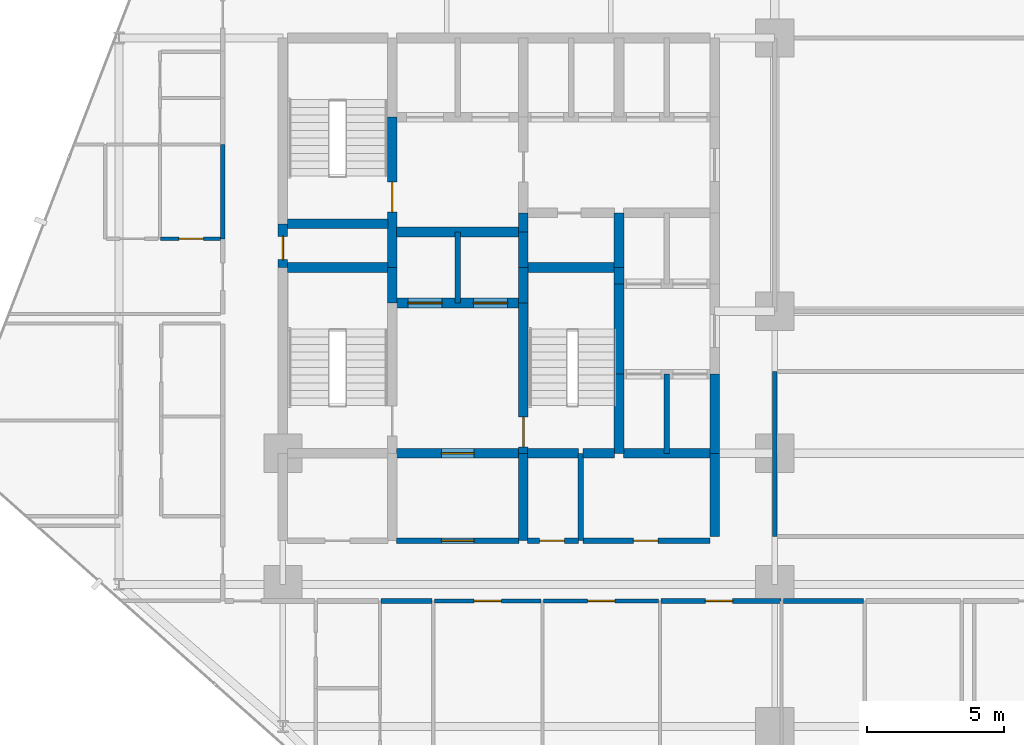
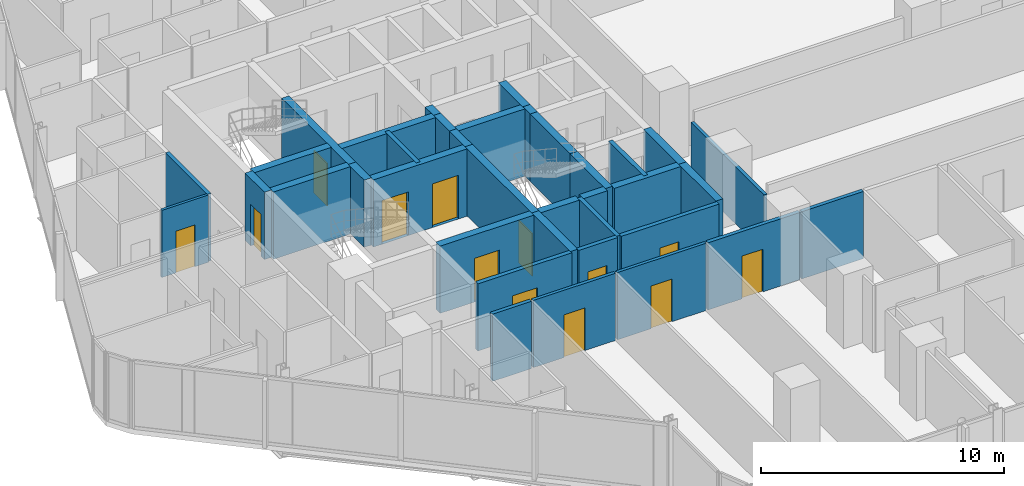
# One storey, part 27 of 34: 37 walls, 13 doors, 13 openings.
"""IFC4 building model written with IfcOpenShell, lengths in metres."""

from ifc_helpers import new_model, si_unit, direction, frame, frame_2d, origin, place, context, subcontext, project, spatial, rectangle, extrude, material, layer, layer_set, type_object, element, fill, save


model = new_model("IFC4")

# Units and contexts
model_context = context("Model", 3, precision=1e-05, world=origin(), true_north=direction((0.0, 1.0)))
body_context = subcontext(model_context, "Body", "Model", "MODEL_VIEW")
ifc_project = project(units=[si_unit("LENGTHUNIT", "METRE"), si_unit("AREAUNIT", "SQUARE_METRE"), si_unit("VOLUMEUNIT", "CUBIC_METRE"), si_unit("PLANEANGLEUNIT", "RADIAN"), si_unit("MASSUNIT", "GRAM", prefix="KILO")], contexts=[model_context])

# Site, building, storey
site_placement = place(None, origin())
site = spatial("IfcSite", under=ifc_project, at=site_placement, CompositionType="ELEMENT")
building_placement = place(site_placement, origin())
building = spatial("IfcBuilding", under=site, at=building_placement, Name="Keshet Zoharim Tower", CompositionType="ELEMENT")
storey_placement = place(building_placement, frame((0.0, 0.0, 46.199951171875)))
storey = spatial("IfcBuildingStorey", under=building, at=storey_placement, Name="L10", CompositionType="ELEMENT", Elevation=46.199951171875)

# Wall
ifc_material_1 = material(Name="Gypsum Plasterboard", Category="gypsum")
ifc_layer_1 = layer(ifc_material_1, 0.14990234375)
ifc_layer_set_1 = layer_set([ifc_layer_1], Name="Gypsum Plasterboard")
wall_type_1 = type_object("IfcWallType", Name="WL-CLIN-150", PredefinedType="STANDARD", material=ifc_layer_set_1)
wall_1_placement = place(storey_placement, frame((33.0, 19.659912109375, 0.0), z_axis=(0.0, 0.0, 1.0), x_axis=(0.0, 1.0, 0.0)))
element("IfcWall", 1, at=wall_1_placement, inside=storey, type_object=wall_type_1, Name="L10 Interior Wall 073", PredefinedType="STANDARD", context=body_context, shape_type="SweptSolid", body=[
    extrude(rectangle(XDim=6.030029296875, YDim=0.14990234375, at=frame_2d((3.01513671875, 0.0))), origin(), (0.0, 0.0, 1.0), 2.885009765625),
])

# Wall, opening, door
wall_2_placement = place(storey_placement, frame((20.544921875, 17.300048828125, 0.0), z_axis=(0.0, 0.0, 1.0), x_axis=(1.0, 0.0, 0.0)))
wall_2 = element("IfcWall", 2, at=wall_2_placement, inside=storey, type_object=wall_type_1, Name="L10 Interior Wall 140", PredefinedType="STANDARD", context=body_context, shape_type="SweptSolid", body=[
    extrude(rectangle(XDim=3.91015625, YDim=0.14990234375, at=frame_2d((1.955078125, 0.0))), origin(), (0.0, 0.0, 1.0), 3.385009765625),
])
opening_1_placement = place(wall_2_placement, frame((1.455078125, 0.0, 0.0)))
opening_1 = element("IfcOpeningElement", 3, at=opening_1_placement, cuts=wall_2, Name="Opening D-F310", PredefinedType="OPENING", context=body_context, shape_type="SweptSolid", body=[
    extrude(rectangle(XDim=1.0, YDim=2.14990234375, at=frame_2d((0.5, 1.074951171875))), frame((0.0, 0.0849609375, 0.0), z_axis=(0.0, -1.0, 0.0), x_axis=(1.0, 0.0, 0.0)), (0.0, 0.0, 1.0), 0.169921875),
])
ifc_material_2 = material(Name="Hardwood Timber", Category="wood")
door_type_1 = type_object("IfcDoorType", Name="DR-FD30-100", OperationType="NOTDEFINED", PredefinedType="DOOR", material=ifc_material_2)
door_1_placement = place(opening_1_placement, origin())
door_1 = element("IfcDoor", 4, at=door_1_placement, inside=storey, type_object=door_type_1, Name="L10 Residents Telework Office Door", OperationType="SINGLE_SWING_LEFT", OverallHeight=2.14990234375, OverallWidth=1.0, PredefinedType="DOOR", context=body_context, shape_type="SweptSolid", body=[
    extrude(rectangle(XDim=1.0, YDim=2.14990234375, at=frame_2d((0.5, 1.074951171875))), frame((0.0, 0.02490234375, 0.0), z_axis=(0.0, -1.0, 0.0), x_axis=(1.0, 0.0, 0.0)), (0.0, 0.0, 1.0), 0.050048828125),
])
fill(opening_1, door_1)

wall_3_placement = place(storey_placement, frame((24.544921875, 17.300048828125, 0.0), z_axis=(0.0, 0.0, 1.0), x_axis=(1.0, 0.0, 0.0)))
wall_3 = element("IfcWall", 5, at=wall_3_placement, inside=storey, type_object=wall_type_1, Name="L10 Interior Wall 141", PredefinedType="STANDARD", context=body_context, shape_type="SweptSolid", body=[
    extrude(rectangle(XDim=4.2099609375, YDim=0.14990234375, at=frame_2d((2.10498046875, 0.0))), origin(), (0.0, 0.0, 1.0), 3.385009765625),
])
opening_2_placement = place(wall_3_placement, frame((1.60498046875, 0.0, 0.0)))
opening_2 = element("IfcOpeningElement", 6, at=opening_2_placement, cuts=wall_3, Name="Opening D-F310", PredefinedType="OPENING", context=body_context, shape_type="SweptSolid", body=[
    extrude(rectangle(XDim=1.0, YDim=2.14990234375, at=frame_2d((0.5, 1.074951171875))), frame((0.0, 0.0849609375, 0.0), z_axis=(0.0, -1.0, 0.0), x_axis=(1.0, 0.0, 0.0)), (0.0, 0.0, 1.0), 0.169921875),
])
door_2_placement = place(opening_2_placement, origin())
door_2 = element("IfcDoor", 7, at=door_2_placement, inside=storey, type_object=door_type_1, Name="L10 Residents Meeting Room Door", OperationType="SINGLE_SWING_RIGHT", OverallHeight=2.14990234375, OverallWidth=1.0, PredefinedType="DOOR", context=body_context, shape_type="SweptSolid", body=[
    extrude(rectangle(XDim=1.0, YDim=2.14990234375, at=frame_2d((0.5, 1.074951171875))), frame((0.0, 0.02490234375, 0.0), z_axis=(0.0, -1.0, 0.0), x_axis=(1.0, 0.0, 0.0)), (0.0, 0.0, 1.0), 0.050048828125),
])
fill(opening_2, door_2)

ifc_material_3 = material(Name="Concrete C60/75", Category="concrete")
ifc_layer_2 = layer(ifc_material_3, 0.35009765625)
ifc_layer_set_2 = layer_set([ifc_layer_2], Name="Concrete C60/75")
wall_type_2 = type_object("IfcWallType", Name="WL-CORE-350", PredefinedType="SHEAR", material=ifc_layer_set_2)
wall_4_placement = place(storey_placement, frame((15.0, 29.5, 0.0), z_axis=(0.0, 0.0, 1.0), x_axis=(0.0, 1.0, 0.0)))
wall_4 = element("IfcWall", 8, at=wall_4_placement, inside=storey, type_object=wall_type_2, Name="L10 Core Shear Wall 021", PredefinedType="SHEAR", context=body_context, shape_type="SweptSolid", body=[
    extrude(rectangle(XDim=1.60009765625, YDim=0.35009765625, at=frame_2d((0.800048828125, 0.0))), origin(), (0.0, 0.0, 1.0), 3.385009765625),
])
opening_3_placement = place(wall_4_placement, frame((0.287109375, 0.0, 0.0)))
opening_3 = element("IfcOpeningElement", 9, at=opening_3_placement, cuts=wall_4, Name="Opening D-RS85", PredefinedType="OPENING", context=body_context, shape_type="SweptSolid", body=[
    extrude(rectangle(XDim=0.85009765625, YDim=2.10009765625, at=frame_2d((0.425048828125, 1.050048828125))), frame((0.0, 0.18505859375, 0.0), z_axis=(0.0, -1.0, 0.0), x_axis=(1.0, 0.0, 0.0)), (0.0, 0.0, 1.0), 0.3701171875),
])
door_type_2 = type_object("IfcDoorType", Name="DR-RIS-085", OperationType="NOTDEFINED", PredefinedType="DOOR", material=ifc_material_2)
door_3_placement = place(opening_3_placement, origin())
door_3 = element("IfcDoor", 10, at=door_3_placement, inside=storey, type_object=door_type_2, Name="L10 Electrical Riser Access Cupboard Door", OperationType="SINGLE_SWING_LEFT", OverallHeight=2.10009765625, OverallWidth=0.85009765625, PredefinedType="DOOR", context=body_context, shape_type="SweptSolid", body=[
    extrude(rectangle(XDim=0.85009765625, YDim=2.10009765625, at=frame_2d((0.425048828125, 1.050048828125))), frame((0.0, 0.02490234375, 0.0), z_axis=(0.0, -1.0, 0.0), x_axis=(1.0, 0.0, 0.0)), (0.0, 0.0, 1.0), 0.050048828125),
])
fill(opening_3, door_3)

# Wall
wall_5_placement = place(storey_placement, frame((19.0, 28.199951171875, 0.0), z_axis=(0.0, 0.0, 1.0), x_axis=(0.0, 1.0, 0.0)))
element("IfcWall", 11, at=wall_5_placement, inside=storey, type_object=wall_type_2, Name="L10 Core Shear Wall 031", PredefinedType="SHEAR", context=body_context, shape_type="SweptSolid", body=[
    extrude(rectangle(XDim=1.300048828125, YDim=0.35009765625, at=frame_2d((0.64990234375, 0.0))), origin(), (0.0, 0.0, 1.0), 3.385009765625),
])

# Wall, opening, door
wall_6_placement = place(storey_placement, frame((19.0, 29.5, 0.0), z_axis=(0.0, 0.0, 1.0), x_axis=(0.0, 1.0, 0.0)))
wall_6 = element("IfcWall", 12, at=wall_6_placement, inside=storey, type_object=wall_type_2, Name="L10 Core Shear Wall 032", PredefinedType="SHEAR", context=body_context, shape_type="SweptSolid", body=[
    extrude(rectangle(XDim=5.5, YDim=0.35009765625, at=frame_2d((2.75, 0.0))), origin(), (0.0, 0.0, 1.0), 3.385009765625),
])
opening_4_placement = place(wall_6_placement, frame((2.02490234375, 0.0, 0.0)))
opening_4 = element("IfcOpeningElement", 13, at=opening_4_placement, cuts=wall_6, Name="Opening D-F611", PredefinedType="OPENING", context=body_context, shape_type="SweptSolid", body=[
    extrude(rectangle(XDim=1.10009765625, YDim=2.14990234375, at=frame_2d((0.550048828125, 1.074951171875))), frame((0.0, 0.18505859375, 0.0), z_axis=(0.0, -1.0, 0.0), x_axis=(1.0, 0.0, 0.0)), (0.0, 0.0, 1.0), 0.3701171875),
])
door_type_3 = type_object("IfcDoorType", Name="DR-FD60-110", OperationType="NOTDEFINED", PredefinedType="DOOR", material=ifc_material_2)
door_4_placement = place(opening_4_placement, origin())
door_4 = element("IfcDoor", 14, at=door_4_placement, inside=storey, type_object=door_type_3, Name="L10 Exit Stair ST-02 Fire Door", OperationType="SINGLE_SWING_LEFT", OverallHeight=2.14990234375, OverallWidth=1.10009765625, PredefinedType="DOOR", context=body_context, shape_type="SweptSolid", body=[
    extrude(rectangle(XDim=1.10009765625, YDim=2.14990234375, at=frame_2d((0.550048828125, 1.074951171875))), frame((0.0, 0.02490234375, 0.0), z_axis=(0.0, -1.0, 0.0), x_axis=(1.0, 0.0, 0.0)), (0.0, 0.0, 1.0), 0.050048828125),
])
fill(opening_4, door_4)

# Wall
wall_7_placement = place(storey_placement, frame((23.800048828125, 19.5, 0.0), z_axis=(0.0, 0.0, 1.0), x_axis=(0.0, 1.0, 0.0)))
element("IfcWall", 15, at=wall_7_placement, inside=storey, type_object=wall_type_2, Name="L10 Core Shear Wall 040", PredefinedType="SHEAR", context=body_context, shape_type="SweptSolid", body=[
    extrude(rectangle(XDim=3.199951171875, YDim=0.35009765625, at=frame_2d((1.60009765625, 0.0))), origin(), (0.0, 0.0, 1.0), 3.385009765625),
])

# Wall, opening, door
wall_8_placement = place(storey_placement, frame((23.800048828125, 22.699951171875, 0.0), z_axis=(0.0, 0.0, 1.0), x_axis=(0.0, 1.0, 0.0)))
wall_8 = element("IfcWall", 16, at=wall_8_placement, inside=storey, type_object=wall_type_2, Name="L10 Core Shear Wall 041", PredefinedType="SHEAR", context=body_context, shape_type="SweptSolid", body=[
    extrude(rectangle(XDim=5.5, YDim=0.35009765625, at=frame_2d((2.75, 0.0))), origin(), (0.0, 0.0, 1.0), 3.385009765625),
])
opening_5_placement = place(wall_8_placement, frame((0.235107421875, 0.0, 0.0)))
opening_5 = element("IfcOpeningElement", 17, at=opening_5_placement, cuts=wall_8, Name="Opening D-F611", PredefinedType="OPENING", context=body_context, shape_type="SweptSolid", body=[
    extrude(rectangle(XDim=1.10009765625, YDim=2.14990234375, at=frame_2d((0.550048828125, 1.074951171875))), frame((0.0, 0.18505859375, 0.0), z_axis=(0.0, -1.0, 0.0), x_axis=(1.0, 0.0, 0.0)), (0.0, 0.0, 1.0), 0.3701171875),
])
door_5_placement = place(opening_5_placement, frame((1.10009765625, 0.0, 0.0), z_axis=(0.0, 0.0, 1.0), x_axis=(-1.0, 0.0, 0.0)))
door_5 = element("IfcDoor", 18, at=door_5_placement, inside=storey, type_object=door_type_3, Name="L10 Exit Stair ST-03 Fire Door", OperationType="SINGLE_SWING_RIGHT", OverallHeight=2.14990234375, OverallWidth=1.10009765625, PredefinedType="DOOR", context=body_context, shape_type="SweptSolid", body=[
    extrude(rectangle(XDim=1.10009765625, YDim=2.14990234375, at=frame_2d((0.550048828125, 1.074951171875))), frame((0.0, 0.02490234375, 0.0), z_axis=(0.0, -1.0, 0.0), x_axis=(1.0, 0.0, 0.0)), (0.0, 0.0, 1.0), 0.050048828125),
])
fill(opening_5, door_5)

# Walls
for number, where, z_axis, x_axis, name in (
    (19, (23.800048828125, 28.199951171875, 0.0), (0.0, 0.0, 1.0), (0.0, 1.0, 0.0), "L10 Core Shear Wall 042"),
    (20, (23.800048828125, 29.5, 0.0), (0.0, 0.0, 1.0), (0.0, 1.0, 0.0), "L10 Core Shear Wall 043"),
):
    element("IfcWall", number, at=place(storey_placement, frame(where, z_axis=z_axis, x_axis=x_axis)), inside=storey, type_object=wall_type_2, Name=name, PredefinedType="SHEAR", context=body_context, shape_type="SweptSolid", body=[
        extrude(rectangle(XDim=1.300048828125, YDim=0.35009765625, at=frame_2d((0.64990234375, 0.0))), origin(), (0.0, 0.0, 1.0), 3.385009765625),
    ])
wall_9_placement = place(storey_placement, frame((23.800048828125, 30.800048828125, 0.0), z_axis=(0.0, 0.0, 1.0), x_axis=(0.0, 1.0, 0.0)))
element("IfcWall", 21, at=wall_9_placement, inside=storey, type_object=wall_type_2, Name="L10 Core Shear Wall 044", PredefinedType="SHEAR", context=body_context, shape_type="SweptSolid", body=[
    extrude(rectangle(XDim=0.699951171875, YDim=0.35009765625, at=frame_2d((0.35009765625, 0.0))), origin(), (0.0, 0.0, 1.0), 3.385009765625),
])
wall_10_placement = place(storey_placement, frame((27.300048828125, 22.699951171875, 0.0), z_axis=(0.0, 0.0, 1.0), x_axis=(0.0, 1.0, 0.0)))
element("IfcWall", 22, at=wall_10_placement, inside=storey, type_object=wall_type_2, Name="L10 Core Shear Wall 053", PredefinedType="SHEAR", context=body_context, shape_type="SweptSolid", body=[
    extrude(rectangle(XDim=2.900146484375, YDim=0.35009765625, at=frame_2d((1.4501953125, 0.0))), origin(), (0.0, 0.0, 1.0), 3.385009765625),
])
wall_11_placement = place(storey_placement, frame((27.300048828125, 25.60009765625, 0.0), z_axis=(0.0, 0.0, 1.0), x_axis=(0.0, 1.0, 0.0)))
element("IfcWall", 23, at=wall_11_placement, inside=storey, type_object=wall_type_2, Name="L10 Core Shear Wall 054", PredefinedType="SHEAR", context=body_context, shape_type="SweptSolid", body=[
    extrude(rectangle(XDim=3.2998046875, YDim=0.35009765625, at=frame_2d((1.64990234375, 0.0))), origin(), (0.0, 0.0, 1.0), 3.385009765625),
])
wall_12_placement = place(storey_placement, frame((27.300048828125, 28.89990234375, 0.0), z_axis=(0.0, 0.0, 1.0), x_axis=(0.0, 1.0, 0.0)))
element("IfcWall", 24, at=wall_12_placement, inside=storey, type_object=wall_type_2, Name="L10 Core Shear Wall 055", PredefinedType="SHEAR", context=body_context, shape_type="SweptSolid", body=[
    extrude(rectangle(XDim=0.60009765625, YDim=0.35009765625, at=frame_2d((0.300048828125, 0.0))), origin(), (0.0, 0.0, 1.0), 3.385009765625),
])
wall_13_placement = place(storey_placement, frame((27.300048828125, 29.5, 0.0), z_axis=(0.0, 0.0, 1.0), x_axis=(0.0, 1.0, 0.0)))
element("IfcWall", 25, at=wall_13_placement, inside=storey, type_object=wall_type_2, Name="L10 Core Shear Wall 056", PredefinedType="SHEAR", context=body_context, shape_type="SweptSolid", body=[
    extrude(rectangle(XDim=2.0, YDim=0.35009765625, at=frame_2d((1.0, 0.0))), origin(), (0.0, 0.0, 1.0), 3.385009765625),
])
wall_14_placement = place(storey_placement, frame((30.800048828125, 19.64990234375, 0.0), z_axis=(0.0, 0.0, 1.0), x_axis=(0.0, 1.0, 0.0)))
element("IfcWall", 26, at=wall_14_placement, inside=storey, type_object=wall_type_2, Name="L10 Core Shear Wall 063", PredefinedType="SHEAR", context=body_context, shape_type="SweptSolid", body=[
    extrude(rectangle(XDim=3.050048828125, YDim=0.35009765625, at=frame_2d((1.52490234375, 0.0))), origin(), (0.0, 0.0, 1.0), 3.385009765625),
])
wall_15_placement = place(storey_placement, frame((30.800048828125, 22.699951171875, 0.0), z_axis=(0.0, 0.0, 1.0), x_axis=(0.0, 1.0, 0.0)))
element("IfcWall", 27, at=wall_15_placement, inside=storey, type_object=wall_type_2, Name="L10 Core Shear Wall 064", PredefinedType="SHEAR", context=body_context, shape_type="SweptSolid", body=[
    extrude(rectangle(XDim=2.900146484375, YDim=0.35009765625, at=frame_2d((1.4501953125, 0.0))), origin(), (0.0, 0.0, 1.0), 3.385009765625),
])

# Wall, opening, door
wall_16_placement = place(storey_placement, frame((19.159912109375, 22.699951171875, 0.0), z_axis=(0.0, 0.0, 1.0), x_axis=(1.0, 0.0, 0.0)))
wall_16 = element("IfcWall", 28, at=wall_16_placement, inside=storey, type_object=wall_type_2, Name="L10 Core Shear Wall 162", PredefinedType="SHEAR", context=body_context, shape_type="SweptSolid", body=[
    extrude(rectangle(XDim=4.47998046875, YDim=0.35009765625, at=frame_2d((2.239990234375, 0.0))), origin(), (0.0, 0.0, 1.0), 3.385009765625),
])
opening_6_placement = place(wall_16_placement, frame((1.639892578125, 0.0, 0.0)))
opening_6 = element("IfcOpeningElement", 29, at=opening_6_placement, cuts=wall_16, Name="Opening D-F612", PredefinedType="OPENING", context=body_context, shape_type="SweptSolid", body=[
    extrude(rectangle(XDim=1.199951171875, YDim=2.199951171875, at=frame_2d((0.60009765625, 1.10009765625))), frame((0.0, 0.18505859375, 0.0), z_axis=(0.0, -1.0, 0.0), x_axis=(1.0, 0.0, 0.0)), (0.0, 0.0, 1.0), 0.3701171875),
])
door_type_4 = type_object("IfcDoorType", Name="DR-FD60-120", OperationType="NOTDEFINED", PredefinedType="DOOR", material=ifc_material_2)
door_6_placement = place(opening_6_placement, origin())
door_6 = element("IfcDoor", 30, at=door_6_placement, inside=storey, type_object=door_type_4, Name="L10 South Core Lobby Fire Door", OperationType="SINGLE_SWING_RIGHT", OverallHeight=2.199951171875, OverallWidth=1.199951171875, PredefinedType="DOOR", context=body_context, shape_type="SweptSolid", body=[
    extrude(rectangle(XDim=1.199951171875, YDim=2.199951171875, at=frame_2d((0.60009765625, 1.10009765625))), frame((0.0, 0.02490234375, 0.0), z_axis=(0.0, -1.0, 0.0), x_axis=(1.0, 0.0, 0.0)), (0.0, 0.0, 1.0), 0.050048828125),
])
fill(opening_6, door_6)

# Walls
wall_17_placement = place(storey_placement, frame((23.9599609375, 22.699951171875, 0.0), z_axis=(0.0, 0.0, 1.0), x_axis=(1.0, 0.0, 0.0)))
element("IfcWall", 31, at=wall_17_placement, inside=storey, type_object=wall_type_2, Name="L10 Core Shear Wall 163", PredefinedType="SHEAR", context=body_context, shape_type="SweptSolid", body=[
    extrude(rectangle(XDim=1.85498046875, YDim=0.35009765625, at=frame_2d((0.927490234375, 0.0))), origin(), (0.0, 0.0, 1.0), 3.385009765625),
])
wall_18_placement = place(storey_placement, frame((25.985107421875, 22.699951171875, 0.0), z_axis=(0.0, 0.0, 1.0), x_axis=(1.0, 0.0, 0.0)))
element("IfcWall", 32, at=wall_18_placement, inside=storey, type_object=wall_type_2, Name="L10 Core Shear Wall 164", PredefinedType="SHEAR", context=body_context, shape_type="SweptSolid", body=[
    extrude(rectangle(XDim=1.15478515625, YDim=0.35009765625, at=frame_2d((0.577392578125, 0.0))), origin(), (0.0, 0.0, 1.0), 3.385009765625),
])
wall_19_placement = place(storey_placement, frame((27.4599609375, 22.699951171875, 0.0), z_axis=(0.0, 0.0, 1.0), x_axis=(1.0, 0.0, 0.0)))
element("IfcWall", 33, at=wall_19_placement, inside=storey, type_object=wall_type_2, Name="L10 Core Shear Wall 165", PredefinedType="SHEAR", context=body_context, shape_type="SweptSolid", body=[
    extrude(rectangle(XDim=3.179931640625, YDim=0.35009765625, at=frame_2d((1.58984375, 0.0))), origin(), (0.0, 0.0, 1.0), 3.385009765625),
])

# Wall, openings, doors
wall_20_placement = place(storey_placement, frame((19.159912109375, 28.199951171875, 0.0), z_axis=(0.0, 0.0, 1.0), x_axis=(1.0, 0.0, 0.0)))
wall_20 = element("IfcWall", 34, at=wall_20_placement, inside=storey, type_object=wall_type_2, Name="L10 Core Shear Wall 175", PredefinedType="SHEAR", context=body_context, shape_type="SweptSolid", body=[
    extrude(rectangle(XDim=4.47998046875, YDim=0.35009765625, at=frame_2d((2.239990234375, 0.0))), origin(), (0.0, 0.0, 1.0), 3.385009765625),
])
opening_7_placement = place(wall_20_placement, frame((0.4150390625, 0.0, 0.0)))
opening_7 = element("IfcOpeningElement", 35, at=opening_7_placement, cuts=wall_20, Name="Opening LD-01", PredefinedType="OPENING", context=body_context, shape_type="SweptSolid", body=[
    extrude(rectangle(XDim=1.25, YDim=2.199951171875, at=frame_2d((0.625, 1.10009765625))), frame((0.0, 0.18505859375, 0.0), z_axis=(0.0, -1.0, 0.0), x_axis=(1.0, 0.0, 0.0)), (0.0, 0.0, 1.0), 0.3701171875),
])
opening_8_placement = place(wall_20_placement, frame((2.81494140625, 0.0, 0.0)))
opening_8 = element("IfcOpeningElement", 36, at=opening_8_placement, cuts=wall_20, Name="Opening LD-01", PredefinedType="OPENING", context=body_context, shape_type="SweptSolid", body=[
    extrude(rectangle(XDim=1.25, YDim=2.199951171875, at=frame_2d((0.625, 1.10009765625))), frame((0.0, 0.18505859375, 0.0), z_axis=(0.0, -1.0, 0.0), x_axis=(1.0, 0.0, 0.0)), (0.0, 0.0, 1.0), 0.3701171875),
])
ifc_material_4 = material(Name="Steel S355", Category="steel")
door_type_5 = type_object("IfcDoorType", Name="DR-LD01-125", OperationType="DOUBLE_DOOR_SLIDING", PredefinedType="DOOR", material=ifc_material_4)
door_7_placement = place(opening_7_placement, origin())
door_7 = element("IfcDoor", 37, at=door_7_placement, inside=storey, type_object=door_type_5, Name="L10 Passenger Lift Landing Door LF-09", OperationType="DOUBLE_DOOR_SLIDING", OverallHeight=2.199951171875, OverallWidth=1.25, PredefinedType="DOOR", context=body_context, shape_type="SweptSolid", body=[
    extrude(rectangle(XDim=1.25, YDim=2.199951171875, at=frame_2d((0.625, 1.10009765625))), frame((0.0, 0.02490234375, 0.0), z_axis=(0.0, -1.0, 0.0), x_axis=(1.0, 0.0, 0.0)), (0.0, 0.0, 1.0), 0.050048828125),
])
fill(opening_7, door_7)
door_8_placement = place(opening_8_placement, origin())
door_8 = element("IfcDoor", 38, at=door_8_placement, inside=storey, type_object=door_type_5, Name="L10 Passenger Lift Landing Door LF-10", OperationType="DOUBLE_DOOR_SLIDING", OverallHeight=2.199951171875, OverallWidth=1.25, PredefinedType="DOOR", context=body_context, shape_type="SweptSolid", body=[
    extrude(rectangle(XDim=1.25, YDim=2.199951171875, at=frame_2d((0.625, 1.10009765625))), frame((0.0, 0.02490234375, 0.0), z_axis=(0.0, -1.0, 0.0), x_axis=(1.0, 0.0, 0.0)), (0.0, 0.0, 1.0), 0.050048828125),
])
fill(opening_8, door_8)

# Walls
wall_21_placement = place(storey_placement, frame((15.159912109375, 29.5, 0.0), z_axis=(0.0, 0.0, 1.0), x_axis=(1.0, 0.0, 0.0)))
element("IfcWall", 39, at=wall_21_placement, inside=storey, type_object=wall_type_2, Name="L10 Core Shear Wall 177", PredefinedType="SHEAR", context=body_context, shape_type="SweptSolid", body=[
    extrude(rectangle(XDim=3.68017578125, YDim=0.35009765625, at=frame_2d((1.840087890625, 0.0))), origin(), (0.0, 0.0, 1.0), 3.385009765625),
])
wall_22_placement = place(storey_placement, frame((23.9599609375, 29.5, 0.0), z_axis=(0.0, 0.0, 1.0), x_axis=(1.0, 0.0, 0.0)))
element("IfcWall", 40, at=wall_22_placement, inside=storey, type_object=wall_type_2, Name="L10 Core Shear Wall 178", PredefinedType="SHEAR", context=body_context, shape_type="SweptSolid", body=[
    extrude(rectangle(XDim=3.179931640625, YDim=0.35009765625, at=frame_2d((1.58984375, 0.0))), origin(), (0.0, 0.0, 1.0), 3.385009765625),
])
wall_23_placement = place(storey_placement, frame((19.159912109375, 30.800048828125, 0.0), z_axis=(0.0, 0.0, 1.0), x_axis=(1.0, 0.0, 0.0)))
element("IfcWall", 41, at=wall_23_placement, inside=storey, type_object=wall_type_2, Name="L10 Core Shear Wall 181", PredefinedType="SHEAR", context=body_context, shape_type="SweptSolid", body=[
    extrude(rectangle(XDim=4.47998046875, YDim=0.35009765625, at=frame_2d((2.239990234375, 0.0))), origin(), (0.0, 0.0, 1.0), 3.385009765625),
])
wall_24_placement = place(storey_placement, frame((15.159912109375, 31.10009765625, 0.0), z_axis=(0.0, 0.0, 1.0), x_axis=(1.0, 0.0, 0.0)))
element("IfcWall", 42, at=wall_24_placement, inside=storey, type_object=wall_type_2, Name="L10 Core Shear Wall 182", PredefinedType="SHEAR", context=body_context, shape_type="SweptSolid", body=[
    extrude(rectangle(XDim=3.68017578125, YDim=0.35009765625, at=frame_2d((1.840087890625, 0.0))), origin(), (0.0, 0.0, 1.0), 3.385009765625),
])
ifc_layer_3 = layer(ifc_material_1, 0.179931640625)
ifc_layer_set_3 = layer_set([ifc_layer_3], Name="Gypsum Plasterboard")
wall_type_3 = type_object("IfcWallType", Name="WL-CORR-180", PredefinedType="STANDARD", material=ifc_layer_set_3)
wall_25_placement = place(storey_placement, frame((12.800048828125, 30.5400390625, 0.0), z_axis=(0.0, 0.0, 1.0), x_axis=(0.0, 1.0, 0.0)))
element("IfcWall", 43, at=wall_25_placement, inside=storey, type_object=wall_type_3, Name="L10 Interior Wall 012", PredefinedType="STANDARD", context=body_context, shape_type="SweptSolid", body=[
    extrude(rectangle(XDim=3.4599609375, YDim=0.179931640625, at=frame_2d((1.72998046875, 0.0))), origin(), (0.0, 0.0, 1.0), 3.385009765625),
])
wall_26_placement = place(storey_placement, frame((18.594970703125, 17.300048828125, 0.0), z_axis=(0.0, 0.0, 1.0), x_axis=(1.0, 0.0, 0.0)))
element("IfcWall", 44, at=wall_26_placement, inside=storey, type_object=wall_type_3, Name="L10 Interior Wall 139", PredefinedType="STANDARD", context=body_context, shape_type="SweptSolid", body=[
    extrude(rectangle(XDim=1.860107421875, YDim=0.179931640625, at=frame_2d((0.93017578125, 0.0))), origin(), (0.0, 0.0, 1.0), 3.385009765625),
])

# Wall, opening, door
wall_27_placement = place(storey_placement, frame((28.844970703125, 17.300048828125, 0.0), z_axis=(0.0, 0.0, 1.0), x_axis=(1.0, 0.0, 0.0)))
wall_27 = element("IfcWall", 45, at=wall_27_placement, inside=storey, type_object=wall_type_3, Name="L10 Interior Wall 142", PredefinedType="STANDARD", context=body_context, shape_type="SweptSolid", body=[
    extrude(rectangle(XDim=4.380126953125, YDim=0.179931640625, at=frame_2d((2.18994140625, 0.0))), origin(), (0.0, 0.0, 1.0), 3.385009765625),
])
opening_9_placement = place(wall_27_placement, frame((1.618896484375, 0.0, 0.0)))
opening_9 = element("IfcOpeningElement", 46, at=opening_9_placement, cuts=wall_27, Name="Opening D-F310", PredefinedType="OPENING", context=body_context, shape_type="SweptSolid", body=[
    extrude(rectangle(XDim=1.0, YDim=2.14990234375, at=frame_2d((0.5, 1.074951171875))), frame((0.0, 0.10009765625, 0.0), z_axis=(0.0, -1.0, 0.0), x_axis=(1.0, 0.0, 0.0)), (0.0, 0.0, 1.0), 0.199951171875),
])
door_9_placement = place(opening_9_placement, origin())
door_9 = element("IfcDoor", 47, at=door_9_placement, inside=storey, type_object=door_type_1, Name="Apartment 1002 Entrance Door", OperationType="SINGLE_SWING_LEFT", OverallHeight=2.14990234375, OverallWidth=1.0, PredefinedType="DOOR", context=body_context, shape_type="SweptSolid", body=[
    extrude(rectangle(XDim=1.0, YDim=2.14990234375, at=frame_2d((0.5, 1.074951171875))), frame((0.0, 0.02490234375, 0.0), z_axis=(0.0, -1.0, 0.0), x_axis=(1.0, 0.0, 0.0)), (0.0, 0.0, 1.0), 0.050048828125),
])
fill(opening_9, door_9)

# Walls
wall_28_placement = place(storey_placement, frame((33.31494140625, 17.300048828125, 0.0), z_axis=(0.0, 0.0, 1.0), x_axis=(1.0, 0.0, 0.0)))
element("IfcWall", 48, at=wall_28_placement, inside=storey, type_object=wall_type_3, Name="L10 Interior Wall 143", PredefinedType="STANDARD", context=body_context, shape_type="SweptSolid", body=[
    extrude(rectangle(XDim=2.93212890625, YDim=0.179931640625, at=frame_2d((1.466064453125, 0.0))), origin(), (0.0, 0.0, 1.0), 3.385009765625),
])
ifc_material_5 = material(Name="Concrete C50/60", Category="concrete")
ifc_layer_4 = layer(ifc_material_5, 0.199951171875)
ifc_layer_set_4 = layer_set([ifc_layer_4], Name="Concrete C50/60")
wall_type_4 = type_object("IfcWallType", Name="WL-FIRE-200", PredefinedType="STANDARD", material=ifc_layer_set_4)
wall_29_placement = place(storey_placement, frame((21.39990234375, 28.199951171875, 0.0), z_axis=(0.0, 0.0, 1.0), x_axis=(0.0, 1.0, 0.0)))
element("IfcWall", 49, at=wall_29_placement, inside=storey, type_object=wall_type_4, Name="L10 Interior Wall 037", PredefinedType="STANDARD", context=body_context, shape_type="SweptSolid", body=[
    extrude(rectangle(XDim=2.60009765625, YDim=0.199951171875, at=frame_2d((1.300048828125, 0.0))), origin(), (0.0, 0.0, 1.0), 3.385009765625),
])
wall_30_placement = place(storey_placement, frame((25.89990234375, 19.5, 0.0), z_axis=(0.0, 0.0, 1.0), x_axis=(0.0, 1.0, 0.0)))
element("IfcWall", 50, at=wall_30_placement, inside=storey, type_object=wall_type_4, Name="L10 Interior Wall 050", PredefinedType="STANDARD", context=body_context, shape_type="SweptSolid", body=[
    extrude(rectangle(XDim=3.199951171875, YDim=0.199951171875, at=frame_2d((1.60009765625, 0.0))), origin(), (0.0, 0.0, 1.0), 3.385009765625),
])
wall_31_placement = place(storey_placement, frame((29.050048828125, 22.699951171875, 0.0), z_axis=(0.0, 0.0, 1.0), x_axis=(0.0, 1.0, 0.0)))
element("IfcWall", 51, at=wall_31_placement, inside=storey, type_object=wall_type_4, Name="L10 Interior Wall 060", PredefinedType="STANDARD", context=body_context, shape_type="SweptSolid", body=[
    extrude(rectangle(XDim=2.900146484375, YDim=0.199951171875, at=frame_2d((1.4501953125, 0.0))), origin(), (0.0, 0.0, 1.0), 3.385009765625),
])

# Wall, opening, door
wall_32_placement = place(storey_placement, frame((19.159912109375, 19.5, 0.0), z_axis=(0.0, 0.0, 1.0), x_axis=(1.0, 0.0, 0.0)))
wall_32 = element("IfcWall", 52, at=wall_32_placement, inside=storey, type_object=wall_type_4, Name="L10 Interior Wall 154", PredefinedType="STANDARD", context=body_context, shape_type="SweptSolid", body=[
    extrude(rectangle(XDim=4.47998046875, YDim=0.199951171875, at=frame_2d((2.239990234375, 0.0))), origin(), (0.0, 0.0, 1.0), 3.385009765625),
])
opening_10_placement = place(wall_32_placement, frame((1.639892578125, 0.0, 0.0)))
opening_10 = element("IfcOpeningElement", 53, at=opening_10_placement, cuts=wall_32, Name="Opening D-F612", PredefinedType="OPENING", context=body_context, shape_type="SweptSolid", body=[
    extrude(rectangle(XDim=1.199951171875, YDim=2.199951171875, at=frame_2d((0.60009765625, 1.10009765625))), frame((0.0, 0.10986328125, 0.0), z_axis=(0.0, -1.0, 0.0), x_axis=(1.0, 0.0, 0.0)), (0.0, 0.0, 1.0), 0.219970703125),
])
door_10_placement = place(opening_10_placement, origin())
door_10 = element("IfcDoor", 54, at=door_10_placement, inside=storey, type_object=door_type_4, Name="L10 South Vestibule Corridor Door", OperationType="SINGLE_SWING_RIGHT", OverallHeight=2.199951171875, OverallWidth=1.199951171875, PredefinedType="DOOR", context=body_context, shape_type="SweptSolid", body=[
    extrude(rectangle(XDim=1.199951171875, YDim=2.199951171875, at=frame_2d((0.60009765625, 1.10009765625))), frame((0.0, 0.02490234375, 0.0), z_axis=(0.0, -1.0, 0.0), x_axis=(1.0, 0.0, 0.0)), (0.0, 0.0, 1.0), 0.050048828125),
])
fill(opening_10, door_10)

wall_33_placement = place(storey_placement, frame((23.9599609375, 19.5, 0.0), z_axis=(0.0, 0.0, 1.0), x_axis=(1.0, 0.0, 0.0)))
wall_33 = element("IfcWall", 55, at=wall_33_placement, inside=storey, type_object=wall_type_4, Name="L10 Interior Wall 155", PredefinedType="STANDARD", context=body_context, shape_type="SweptSolid", body=[
    extrude(rectangle(XDim=1.85498046875, YDim=0.199951171875, at=frame_2d((0.927490234375, 0.0))), origin(), (0.0, 0.0, 1.0), 3.385009765625),
])
opening_11_placement = place(wall_33_placement, frame((0.43994140625, 0.0, 0.0)))
opening_11 = element("IfcOpeningElement", 56, at=opening_11_placement, cuts=wall_33, Name="Opening D-F690", PredefinedType="OPENING", context=body_context, shape_type="SweptSolid", body=[
    extrude(rectangle(XDim=0.89990234375, YDim=2.14990234375, at=frame_2d((0.449951171875, 1.074951171875))), frame((0.0, 0.10986328125, 0.0), z_axis=(0.0, -1.0, 0.0), x_axis=(1.0, 0.0, 0.0)), (0.0, 0.0, 1.0), 0.219970703125),
])
door_type_6 = type_object("IfcDoorType", Name="DR-FD60-090", OperationType="NOTDEFINED", PredefinedType="DOOR", material=ifc_material_2)
door_11_placement = place(opening_11_placement, origin())
door_11 = element("IfcDoor", 57, at=door_11_placement, inside=storey, type_object=door_type_6, Name="L10 Cleaners Store Door", OperationType="SINGLE_SWING_LEFT", OverallHeight=2.14990234375, OverallWidth=0.89990234375, PredefinedType="DOOR", context=body_context, shape_type="SweptSolid", body=[
    extrude(rectangle(XDim=0.89990234375, YDim=2.14990234375, at=frame_2d((0.449951171875, 1.074951171875))), frame((0.0, 0.02490234375, 0.0), z_axis=(0.0, -1.0, 0.0), x_axis=(1.0, 0.0, 0.0)), (0.0, 0.0, 1.0), 0.050048828125),
])
fill(opening_11, door_11)

wall_34_placement = place(storey_placement, frame((25.985107421875, 19.5, 0.0), z_axis=(0.0, 0.0, 1.0), x_axis=(1.0, 0.0, 0.0)))
wall_34 = element("IfcWall", 58, at=wall_34_placement, inside=storey, type_object=wall_type_4, Name="L10 Interior Wall 156", PredefinedType="STANDARD", context=body_context, shape_type="SweptSolid", body=[
    extrude(rectangle(XDim=4.65478515625, YDim=0.199951171875, at=frame_2d((2.327392578125, 0.0))), origin(), (0.0, 0.0, 1.0), 3.385009765625),
])
opening_12_placement = place(wall_34_placement, frame((1.844970703125, 0.0, 0.0)))
opening_12 = element("IfcOpeningElement", 59, at=opening_12_placement, cuts=wall_34, Name="Opening D-F690", PredefinedType="OPENING", context=body_context, shape_type="SweptSolid", body=[
    extrude(rectangle(XDim=0.89990234375, YDim=2.14990234375, at=frame_2d((0.449951171875, 1.074951171875))), frame((0.0, 0.10986328125, 0.0), z_axis=(0.0, -1.0, 0.0), x_axis=(1.0, 0.0, 0.0)), (0.0, 0.0, 1.0), 0.219970703125),
])
door_12_placement = place(opening_12_placement, origin())
door_12 = element("IfcDoor", 60, at=door_12_placement, inside=storey, type_object=door_type_6, Name="L10 Meter Room Door", OperationType="SINGLE_SWING_RIGHT", OverallHeight=2.14990234375, OverallWidth=0.89990234375, PredefinedType="DOOR", context=body_context, shape_type="SweptSolid", body=[
    extrude(rectangle(XDim=0.89990234375, YDim=2.14990234375, at=frame_2d((0.449951171875, 1.074951171875))), frame((0.0, 0.02490234375, 0.0), z_axis=(0.0, -1.0, 0.0), x_axis=(1.0, 0.0, 0.0)), (0.0, 0.0, 1.0), 0.050048828125),
])
fill(opening_12, door_12)

ifc_layer_5 = layer(ifc_material_1, 0.1201171875)
ifc_layer_set_5 = layer_set([ifc_layer_5], Name="Gypsum Plasterboard")
wall_type_5 = type_object("IfcWallType", Name="WL-WET-120", PredefinedType="PARTITIONING", material=ifc_layer_set_5)
wall_35_placement = place(storey_placement, frame((10.52294921875, 30.550048828125, 0.0), z_axis=(0.0, 0.0, 1.0), x_axis=(1.0, 0.0, 0.0)))
wall_35 = element("IfcWall", 61, at=wall_35_placement, inside=storey, type_object=wall_type_5, Name="L10 Interior Wall 180", PredefinedType="PARTITIONING", context=body_context, shape_type="SweptSolid", body=[
    extrude(rectangle(XDim=2.2021484375, YDim=0.1201171875, at=frame_2d((1.10107421875, 0.0))), origin(), (0.0, 0.0, 1.0), 3.385009765625),
])
opening_13_placement = place(wall_35_placement, frame((0.666015625, 0.0, 0.0)))
opening_13 = element("IfcOpeningElement", 62, at=opening_13_placement, cuts=wall_35, Name="Opening D-WT90", PredefinedType="OPENING", context=body_context, shape_type="SweptSolid", body=[
    extrude(rectangle(XDim=0.89990234375, YDim=2.10009765625, at=frame_2d((0.449951171875, 1.050048828125))), frame((0.0, 0.070068359375, 0.0), z_axis=(0.0, -1.0, 0.0), x_axis=(1.0, 0.0, 0.0)), (0.0, 0.0, 1.0), 0.14013671875),
])
door_type_7 = type_object("IfcDoorType", Name="DR-WET-090", OperationType="NOTDEFINED", PredefinedType="DOOR", material=ifc_material_2)
door_13_placement = place(opening_13_placement, origin())
door_13 = element("IfcDoor", 63, at=door_13_placement, inside=storey, type_object=door_type_7, Name="Apartment 1011 Bathroom Door", OperationType="SINGLE_SWING_LEFT", OverallHeight=2.10009765625, OverallWidth=0.89990234375, PredefinedType="DOOR", context=body_context, shape_type="SweptSolid", body=[
    extrude(rectangle(XDim=0.89990234375, YDim=2.10009765625, at=frame_2d((0.449951171875, 1.050048828125))), frame((0.0, 0.02490234375, 0.0), z_axis=(0.0, -1.0, 0.0), x_axis=(1.0, 0.0, 0.0)), (0.0, 0.0, 1.0), 0.050048828125),
])
fill(opening_13, door_13)

save(model, "model.ifc")
